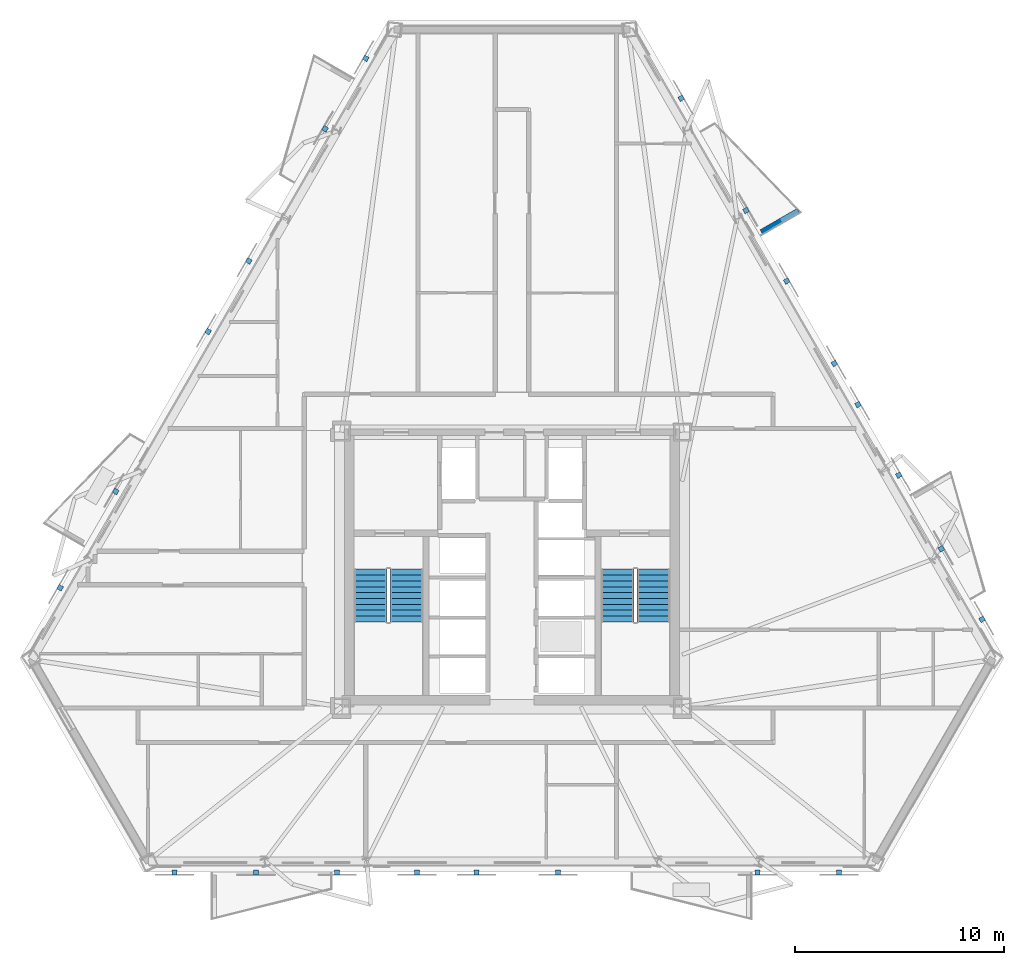
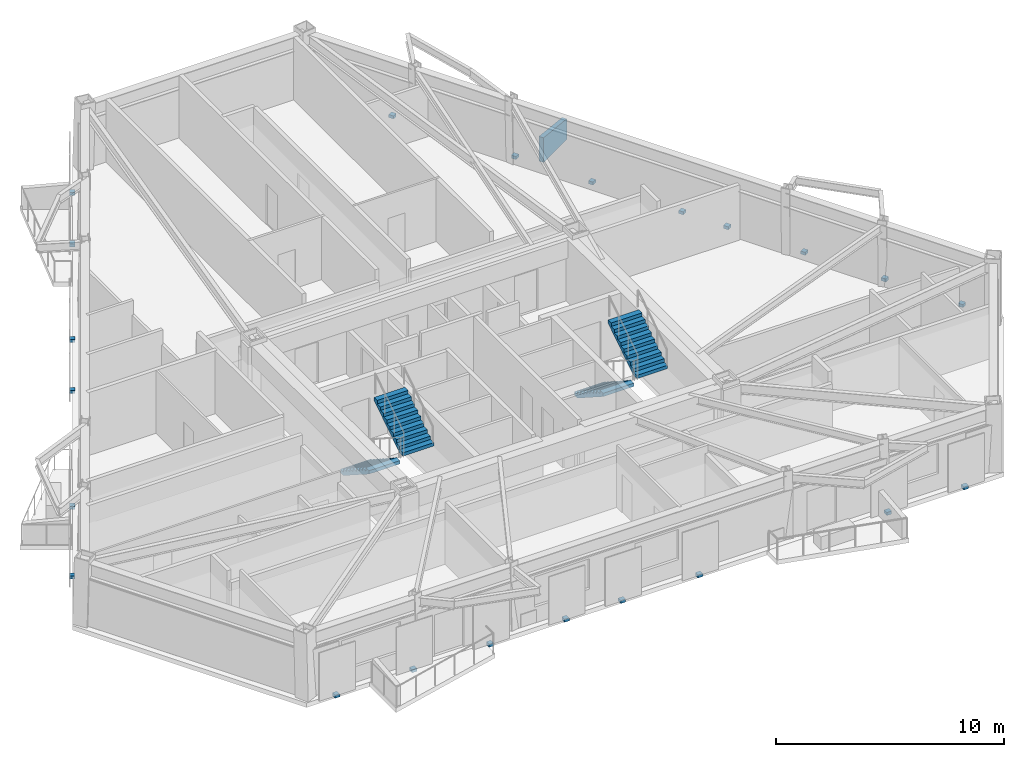
# One storey, part 6 of 11: 22 discrete accessories, 4 stair flights, 1 wall, 2 elements without a shape of their own.
"""IFC4 building model written with IfcOpenShell, lengths in metres."""

from ifc_helpers import new_model, si_unit, direction, frame, origin, origin_2d, place, context, subcontext, project, spatial, polyline, rectangle, outline, extrude, material, layer, layer_set, type_object, element, aggregate, save


model = new_model("IFC4")

# Units and contexts
model_context = context("Model", 3, precision=1e-05, world=origin(), true_north=direction((0.0, 1.0)))
body_context = subcontext(model_context, "Body", "Model", "MODEL_VIEW")
ifc_project = project(units=[si_unit("LENGTHUNIT", "METRE"), si_unit("AREAUNIT", "SQUARE_METRE"), si_unit("VOLUMEUNIT", "CUBIC_METRE"), si_unit("PLANEANGLEUNIT", "RADIAN"), si_unit("MASSUNIT", "GRAM", prefix="KILO")], contexts=[model_context])

# Site, building, storey
site_placement = place(None, origin())
site = spatial("IfcSite", under=ifc_project, at=site_placement, CompositionType="ELEMENT")
building_placement = place(site_placement, origin())
building = spatial("IfcBuilding", under=site, at=building_placement, Name="Oramaril Tower", CompositionType="ELEMENT")
storey_placement = place(building_placement, frame((0.0, 0.0, 112.199951171875)))
storey = spatial("IfcBuildingStorey", under=building, at=storey_placement, Name="L29", CompositionType="ELEMENT", Elevation=112.199951171875)

# Wall
ifc_material_1 = material(Name="Concrete C40/50", Category="concrete")
ifc_layer = layer(ifc_material_1, 0.22998046875)
ifc_layer_set = layer_set([ifc_layer], Name="WT-PRP23")
wall_type = type_object("IfcWallType", Name="WT-PRP23", PredefinedType="PARAPET", material=ifc_layer_set)
wall_placement = place(storey_placement, frame((49.432373046875, 33.739013671875, 0.0), z_axis=(0.0, 0.0, 1.0), x_axis=(0.866012356593, 0.500022597718, 0.0)))
element("IfcWall", 1, at=wall_placement, inside=storey, type_object=wall_type, Name="L29 Trapezoidal Balcony Frame Cheek L29-BAL-NE2-L", PredefinedType="PARAPET", context=body_context, shape_type="SweptSolid", body=[
    extrude(outline(polyline([(0.0, 0.0), (2.0419921875, 0.0), (2.0419921875, 1.10009765625), (0.0, 1.320068359375), (0.0, 0.0)])), frame((0.0, 0.114990234375, 0.0), z_axis=(0.0, -1.0, 0.0), x_axis=(1.0, 0.0, 0.0)), (0.0, 0.0, 1.0), 0.22998046875),
])

# Stair, stair flights
ifc_material_2 = material(Name="Concrete C50/60", Category="concrete")
stair_type = type_object("IfcStairType", Name="STT-DG-3600", PredefinedType="HALF_TURN_STAIR", material=ifc_material_2)
stair_1_placement = place(storey_placement, origin())
stair_1 = element("IfcStair", 2, at=stair_1_placement, inside=storey, type_object=stair_type, Name="L29 Protected PFP Exit Stair ST-1", PredefinedType="HALF_TURN_STAIR")
ifc_material_3 = material(Name="Concrete C50/60", Category="concrete")
stair_flight_type = type_object("IfcStairFlightType", Name="SFT-DG-3600", PredefinedType="STRAIGHT", material=ifc_material_3)
stair_flight_1_placement = place(storey_placement, frame((30.72998046875, 17.590087890625, 0.0), z_axis=(0.0, 0.0, 1.0), x_axis=(0.0, -1.0, 0.0)))
stair_flight_1 = element("IfcStairFlight", 3, at=stair_flight_1_placement, type_object=stair_flight_type, Name="ST-1 flight 1", NumberOfRisers=10, NumberOfTreads=9, PredefinedType="STRAIGHT", RiserHeight=0.18, TreadLength=0.28, context=body_context, shape_type="SweptSolid", body=[
    extrude(outline(polyline([(0.0, 0.0), (0.0, 0.179931640625), (0.280029296875, 0.179931640625), (0.280029296875, 0.360107421875), (0.56005859375, 0.360107421875), (0.56005859375, 0.5400390625), (0.840087890625, 0.5400390625), (0.840087890625, 0.719970703125), (1.1201171875, 0.719970703125), (1.1201171875, 0.89990234375), (1.39990234375, 0.89990234375), (1.39990234375, 1.080078125), (1.679931640625, 1.080078125), (1.679931640625, 1.260009765625), (1.9599609375, 1.260009765625), (1.9599609375, 1.43994140625), (2.239990234375, 1.43994140625), (2.239990234375, 1.6201171875), (2.52001953125, 1.6201171875), (2.52001953125, 1.800048828125), (2.52001953125, 1.44189453125), (0.277099609375, 0.0), (0.0, 0.0)])), frame((0.0, 0.780029296875, 0.0), z_axis=(0.0, -1.0, 0.0), x_axis=(1.0, 0.0, 0.0)), (0.0, 0.0, 1.0), 1.56005859375),
])
stair_flight_2_placement = place(storey_placement, frame((32.43994140625, 15.070068359375, 1.800048828125), z_axis=(0.0, 0.0, 1.0), x_axis=(0.0, 1.0, 0.0)))
stair_flight_2 = element("IfcStairFlight", 4, at=stair_flight_2_placement, type_object=stair_flight_type, Name="ST-1 flight 2", NumberOfRisers=10, NumberOfTreads=9, PredefinedType="STRAIGHT", RiserHeight=0.18, TreadLength=0.28, context=body_context, shape_type="SweptSolid", body=[
    extrude(outline(polyline([(0.0, 0.0), (0.0, 0.179931640625), (0.280029296875, 0.179931640625), (0.280029296875, 0.360107421875), (0.56005859375, 0.360107421875), (0.56005859375, 0.5400390625), (0.840087890625, 0.5400390625), (0.840087890625, 0.719970703125), (1.1201171875, 0.719970703125), (1.1201171875, 0.89990234375), (1.39990234375, 0.89990234375), (1.39990234375, 1.080078125), (1.679931640625, 1.080078125), (1.679931640625, 1.260009765625), (1.9599609375, 1.260009765625), (1.9599609375, 1.43994140625), (2.239990234375, 1.43994140625), (2.239990234375, 1.6201171875), (2.52001953125, 1.6201171875), (2.52001953125, 1.800048828125), (2.52001953125, 1.44189453125), (0.277099609375, 0.0), (0.0, 0.0)])), frame((0.0, 0.780029296875, 0.0), z_axis=(0.0, -1.0, 0.0), x_axis=(1.0, 0.0, 0.0)), (0.0, 0.0, 1.0), 1.56005859375),
])
aggregate(stair_1, [stair_flight_1, stair_flight_2])

stair_2_placement = place(storey_placement, origin())
stair_2 = element("IfcStair", 5, at=stair_2_placement, inside=storey, type_object=stair_type, Name="L29 Protected PFP Exit Stair ST-2", PredefinedType="HALF_TURN_STAIR")
stair_flight_3_placement = place(storey_placement, frame((42.56005859375, 17.590087890625, 0.0), z_axis=(0.0, 0.0, 1.0), x_axis=(0.0, -1.0, 0.0)))
stair_flight_3 = element("IfcStairFlight", 6, at=stair_flight_3_placement, type_object=stair_flight_type, Name="ST-2 flight 1", NumberOfRisers=10, NumberOfTreads=9, PredefinedType="STRAIGHT", RiserHeight=0.18, TreadLength=0.28, context=body_context, shape_type="SweptSolid", body=[
    extrude(outline(polyline([(0.0, 0.0), (0.0, 0.179931640625), (0.280029296875, 0.179931640625), (0.280029296875, 0.360107421875), (0.56005859375, 0.360107421875), (0.56005859375, 0.5400390625), (0.840087890625, 0.5400390625), (0.840087890625, 0.719970703125), (1.1201171875, 0.719970703125), (1.1201171875, 0.89990234375), (1.39990234375, 0.89990234375), (1.39990234375, 1.080078125), (1.679931640625, 1.080078125), (1.679931640625, 1.260009765625), (1.9599609375, 1.260009765625), (1.9599609375, 1.43994140625), (2.239990234375, 1.43994140625), (2.239990234375, 1.6201171875), (2.52001953125, 1.6201171875), (2.52001953125, 1.800048828125), (2.52001953125, 1.44189453125), (0.277099609375, 0.0), (0.0, 0.0)])), frame((0.0, 0.780029296875, 0.0), z_axis=(0.0, -1.0, 0.0), x_axis=(1.0, 0.0, 0.0)), (0.0, 0.0, 1.0), 1.56005859375),
])
stair_flight_4_placement = place(storey_placement, frame((44.27001953125, 15.070068359375, 1.800048828125), z_axis=(0.0, 0.0, 1.0), x_axis=(0.0, 1.0, 0.0)))
stair_flight_4 = element("IfcStairFlight", 7, at=stair_flight_4_placement, type_object=stair_flight_type, Name="ST-2 flight 2", NumberOfRisers=10, NumberOfTreads=9, PredefinedType="STRAIGHT", RiserHeight=0.18, TreadLength=0.28, context=body_context, shape_type="SweptSolid", body=[
    extrude(outline(polyline([(0.0, 0.0), (0.0, 0.179931640625), (0.280029296875, 0.179931640625), (0.280029296875, 0.360107421875), (0.56005859375, 0.360107421875), (0.56005859375, 0.5400390625), (0.840087890625, 0.5400390625), (0.840087890625, 0.719970703125), (1.1201171875, 0.719970703125), (1.1201171875, 0.89990234375), (1.39990234375, 0.89990234375), (1.39990234375, 1.080078125), (1.679931640625, 1.080078125), (1.679931640625, 1.260009765625), (1.9599609375, 1.260009765625), (1.9599609375, 1.43994140625), (2.239990234375, 1.43994140625), (2.239990234375, 1.6201171875), (2.52001953125, 1.6201171875), (2.52001953125, 1.800048828125), (2.52001953125, 1.44189453125), (0.277099609375, 0.0), (0.0, 0.0)])), frame((0.0, 0.780029296875, 0.0), z_axis=(0.0, -1.0, 0.0), x_axis=(1.0, 0.0, 0.0)), (0.0, 0.0, 1.0), 1.56005859375),
])
aggregate(stair_2, [stair_flight_3, stair_flight_4])

# Discrete accessories
for number, where, z_axis, x_axis, name in (
    (8, (21.34423828125, 3.064697265625, -0.14013671875), (0.0, 0.0, 1.0), (1.0, 0.0, 0.0), "L29 Solar Screen Slab Bracket"),
    (9, (25.244140625, 3.064697265625, -0.14013671875), (0.0, 0.0, 1.0), (1.0, 0.0, 0.0), "L29 Solar Screen Slab Bracket"),
    (10, (29.1328125, 3.064697265625, -0.14013671875), (0.0, 0.0, 1.0), (1.0, 0.0, 0.0), "L29 Solar Screen Slab Bracket"),
    (11, (32.952880859375, 3.064697265625, -0.14013671875), (0.0, 0.0, 1.0), (1.0, 0.0, 0.0), "L29 Solar Screen Slab Bracket"),
    (12, (35.80615234375, 3.064697265625, -0.14013671875), (0.0, 0.0, 1.0), (1.0, 0.0, 0.0), "L29 Solar Screen Slab Bracket"),
    (13, (39.7060546875, 3.064697265625, -0.14013671875), (0.0, 0.0, 1.0), (1.0, 0.0, 0.0), "L29 Solar Screen Slab Bracket"),
    (14, (49.255859375, 3.064697265625, -0.14013671875), (0.0, 0.0, 1.0), (1.0, 0.0, 0.0), "L29 Solar Screen Slab Bracket"),
    (15, (53.15576171875, 3.064697265625, -0.14013671875), (0.0, 0.0, 1.0), (1.0, 0.0, 0.0), "L29 Solar Screen Slab Bracket"),
    (16, (60.005126953125, 15.190185546875, -0.14013671875), (0.0, 0.0, 1.0), (-0.5, 0.866025403784, 0.0), "L29 Solar Screen Slab Bracket"),
    (17, (58.05517578125, 18.567626953125, -0.14013671875), (0.0, 0.0, 1.0), (-0.5, 0.866025403784, 0.0), "L29 Solar Screen Slab Bracket"),
    (18, (56.01904296875, 22.094482421875, -0.14013671875), (0.0, 0.0, 1.0), (-0.5, 0.866025403784, 0.0), "L29 Solar Screen Slab Bracket"),
    (19, (54.069091796875, 25.471923828125, -0.14013671875), (0.0, 0.0, 1.0), (-0.5, 0.866025403784, 0.0), "L29 Solar Screen Slab Bracket"),
    (20, (52.93408203125, 27.43798828125, -0.14013671875), (0.0, 0.0, 1.0), (-0.5, 0.866025403784, 0.0), "L29 Solar Screen Slab Bracket"),
    (21, (50.6533203125, 31.387939453125, -0.14013671875), (0.0, 0.0, 1.0), (-0.5, 0.866025403784, 0.0), "L29 Solar Screen Slab Bracket"),
    (22, (48.703369140625, 34.765380859375, -0.14013671875), (0.0, 0.0, 1.0), (-0.5, 0.866025403784, 0.0), "L29 Solar Screen Slab Bracket"),
    (23, (45.601318359375, 40.138427734375, -0.14013671875), (0.0, 0.0, 1.0), (-0.5, 0.866025403784, 0.0), "L29 Solar Screen Slab Bracket"),
    (24, (15.86669921875, 16.7001953125, -0.14013671875), (0.0, 0.0, 1.0), (-0.5, -0.866025403784, 0.0), "L29 Solar Screen Slab Bracket"),
    (25, (18.529296875, 21.312255859375, -0.14013671875), (0.0, 0.0, 1.0), (-0.5, -0.866025403784, 0.0), "L29 Solar Screen Slab Bracket"),
    (26, (30.50048828125, 42.047119140625, -0.14013671875), (0.0, 0.0, 1.0), (-0.5, -0.866025403784, 0.0), "L29 Solar Screen Slab Bracket"),
    (27, (28.550537109375, 38.669677734375, -0.14013671875), (0.0, 0.0, 1.0), (-0.5, -0.866025403784, 0.0), "L29 Solar Screen Slab Bracket"),
    (28, (24.899169921875, 32.344970703125, -0.14013671875), (0.0, 0.0, 1.0), (-0.5, -0.866025403784, 0.0), "L29 Solar Screen Slab Bracket"),
    (29, (22.94921875, 28.967529296875, -0.14013671875), (0.0, 0.0, 1.0), (-0.5, -0.866025403784, 0.0), "L29 Solar Screen Slab Bracket"),
):
    element("IfcDiscreteAccessory", number, at=place(storey_placement, frame(where, z_axis=z_axis, x_axis=x_axis)), inside=storey, Name=name, PredefinedType="BRACKET", context=body_context, shape_type="SweptSolid", body=[
        extrude(rectangle(XDim=0.239990234375, YDim=0.239990234375, at=origin_2d()), origin(), (0.0, 0.0, 1.0), 0.159912109375),
    ])

save(model, "model.ifc")
